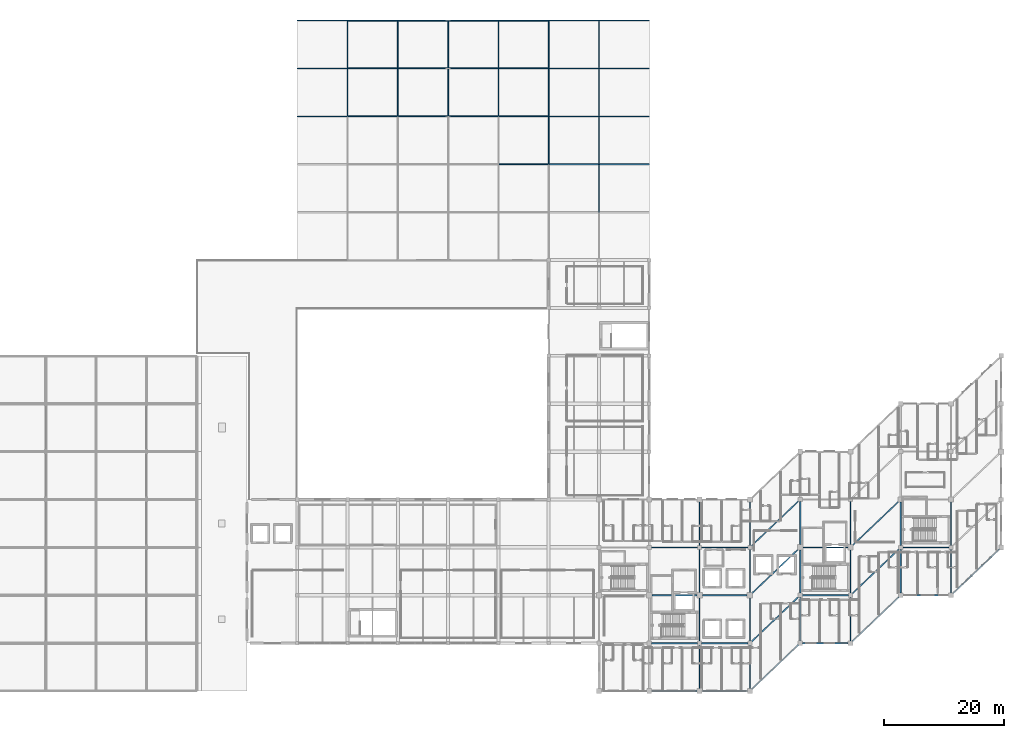
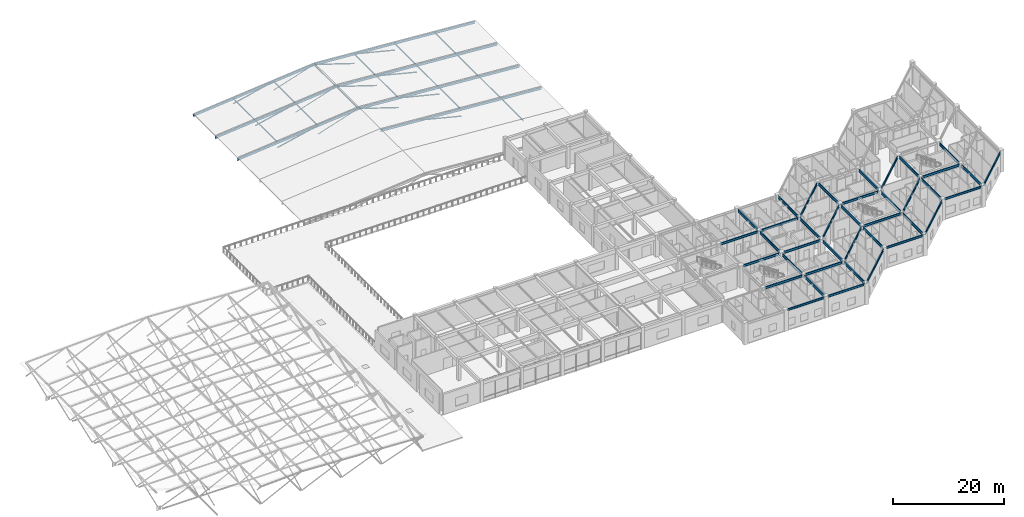
# One storey, part 13 of 37: 39 beams, 35 members.
"""IFC4 building model written with IfcOpenShell, lengths in metres."""

from ifc_helpers import new_model, si_unit, direction, frame, origin, origin_2d, place, context, subcontext, project, spatial, hollow_circle, i_section, extrude, material, material_profile, profile_set, type_object, element, save


model = new_model("IFC4")

# Units and contexts
model_context = context("Model", 3, precision=1e-05, world=origin(), true_north=direction((0.0, 1.0)))
body_context = subcontext(model_context, "Body", "Model", "MODEL_VIEW")
ifc_project = project(units=[si_unit("LENGTHUNIT", "METRE"), si_unit("AREAUNIT", "SQUARE_METRE"), si_unit("VOLUMEUNIT", "CUBIC_METRE"), si_unit("PLANEANGLEUNIT", "RADIAN"), si_unit("MASSUNIT", "GRAM", prefix="KILO")], contexts=[model_context])

# Site, building, storey
site_placement = place(None, origin())
site = spatial("IfcSite", under=ifc_project, at=site_placement, CompositionType="ELEMENT")
building_placement = place(site_placement, origin())
building = spatial("IfcBuilding", under=site, at=building_placement, Name="Naruveol Harbour Congress Hotel", CompositionType="ELEMENT")
storey_placement = place(building_placement, frame((0.0, 0.0, 16.199951171875)))
storey = spatial("IfcBuildingStorey", under=building, at=storey_placement, Name="L03", CompositionType="ELEMENT", Elevation=16.199951171875)

# Beams
ifc_material_1 = material(Name="Steel SN490", Category="steel")
ifc_material_profile_1 = material_profile(ifc_material_1, i_section(OverallWidth=0.199951171875, OverallDepth=0.5, WebThickness=0.010009765625, FlangeThickness=0.01611328125, at=origin_2d()), Name="H-500x200x10x16")
ifc_profile_set_1 = profile_set([ifc_material_profile_1], Name="Steel SN490")
beam_type_1 = type_object("IfcBeamType", Name="STEEL FLOOR GIRDER H500", PredefinedType="BEAM", material=ifc_profile_set_1)
beam_1_placement = place(storey_placement, frame((126.345947265625, 8.0, 4.330078125), z_axis=(1.0, 0.0, 0.0), x_axis=(0.0, 1.0, 0.0)))
element("IfcBeam", 1, at=beam_1_placement, inside=storey, type_object=beam_type_1, Name="Hotel chord beam L04 SB2", PredefinedType="BEAM", context=body_context, shape_type="SweptSolid", body=[
    extrude(i_section(OverallWidth=0.199951171875, OverallDepth=0.5, WebThickness=0.010009765625, FlangeThickness=0.01611328125, at=origin_2d()), origin(), (0.0, 0.0, 1.0), 7.7080078125),
])
beam_2_placement = place(storey_placement, frame((126.446044921875, 16.0, 4.330078125), z_axis=(1.0, 0.0, 0.0), x_axis=(0.0, 1.0, 0.0)))
element("IfcBeam", 2, at=beam_2_placement, inside=storey, type_object=beam_type_1, Name="Hotel chord beam L04 SB2", PredefinedType="BEAM", context=body_context, shape_type="SweptSolid", body=[
    extrude(i_section(OverallWidth=0.199951171875, OverallDepth=0.5, WebThickness=0.010009765625, FlangeThickness=0.01611328125, at=origin_2d()), origin(), (0.0, 0.0, 1.0), 7.508056640625),
])
for number, where, z_axis, x_axis, name in (
    (3, (126.345947265625, 24.0, 4.330078125), (1.0, 0.0, 0.0), (0.0, 1.0, 0.0), "Hotel chord beam L04 SB2"),
    (4, (134.74609375, 8.0, 4.330078125), (1.0, 0.0, 0.0), (0.0, 1.0, 0.0), "Hotel chord beam L04 SB2"),
):
    element("IfcBeam", number, at=place(storey_placement, frame(where, z_axis=z_axis, x_axis=x_axis)), inside=storey, type_object=beam_type_1, Name=name, PredefinedType="BEAM", context=body_context, shape_type="SweptSolid", body=[
        extrude(i_section(OverallWidth=0.199951171875, OverallDepth=0.5, WebThickness=0.010009765625, FlangeThickness=0.01611328125, at=origin_2d()), origin(), (0.0, 0.0, 1.0), 7.7080078125),
    ])
beam_3_placement = place(storey_placement, frame((134.845947265625, 16.0, 4.330078125), z_axis=(1.0, 0.0, 0.0), x_axis=(0.0, 1.0, 0.0)))
element("IfcBeam", 5, at=beam_3_placement, inside=storey, type_object=beam_type_1, Name="Hotel chord beam L04 SB2", PredefinedType="BEAM", context=body_context, shape_type="SweptSolid", body=[
    extrude(i_section(OverallWidth=0.199951171875, OverallDepth=0.5, WebThickness=0.010009765625, FlangeThickness=0.01611328125, at=origin_2d()), origin(), (0.0, 0.0, 1.0), 7.508056640625),
])
beam_4_placement = place(storey_placement, frame((134.74609375, 24.0, 4.330078125), z_axis=(1.0, 0.0, 0.0), x_axis=(0.0, 1.0, 0.0)))
element("IfcBeam", 6, at=beam_4_placement, inside=storey, type_object=beam_type_1, Name="Hotel chord beam L04 SB2", PredefinedType="BEAM", context=body_context, shape_type="SweptSolid", body=[
    extrude(i_section(OverallWidth=0.199951171875, OverallDepth=0.5, WebThickness=0.010009765625, FlangeThickness=0.01611328125, at=origin_2d()), origin(), (0.0, 0.0, 1.0), 7.7080078125),
])
beam_5_placement = place(storey_placement, frame((143.050537109375, 8.238525390625, 4.330078125), z_axis=(0.724130479369, 0.689662996578, 0.0), x_axis=(-0.689662996578, 0.724130479369, 0.0)))
element("IfcBeam", 7, at=beam_5_placement, inside=storey, type_object=beam_type_1, Name="Hotel chord beam L04 SB2", PredefinedType="BEAM", context=body_context, shape_type="SweptSolid", body=[
    extrude(i_section(OverallWidth=0.199951171875, OverallDepth=0.5, WebThickness=0.010009765625, FlangeThickness=0.01611328125, at=origin_2d()), origin(), (0.0, 0.0, 1.0), 10.908203125),
])
beam_6_placement = place(storey_placement, frame((143.123046875, 16.3076171875, 4.330078125), z_axis=(0.724133593293, 0.689659727013, 0.0), x_axis=(-0.689659727013, 0.724133593293, 0.0)))
element("IfcBeam", 8, at=beam_6_placement, inside=storey, type_object=beam_type_1, Name="Hotel chord beam L04 SB2", PredefinedType="BEAM", context=body_context, shape_type="SweptSolid", body=[
    extrude(i_section(OverallWidth=0.199951171875, OverallDepth=0.5, WebThickness=0.010009765625, FlangeThickness=0.01611328125, at=origin_2d()), origin(), (0.0, 0.0, 1.0), 10.707763671875),
])
beam_7_placement = place(storey_placement, frame((143.050537109375, 24.238525390625, 4.330078125), z_axis=(0.724130479369, 0.689662996578, 0.0), x_axis=(-0.689662996578, 0.724130479369, 0.0)))
element("IfcBeam", 9, at=beam_7_placement, inside=storey, type_object=beam_type_1, Name="Hotel chord beam L04 SB2", PredefinedType="BEAM", context=body_context, shape_type="SweptSolid", body=[
    extrude(i_section(OverallWidth=0.199951171875, OverallDepth=0.5, WebThickness=0.010009765625, FlangeThickness=0.01611328125, at=origin_2d()), origin(), (0.0, 0.0, 1.0), 10.908203125),
])
beam_8_placement = place(storey_placement, frame((151.5458984375, 16.0, 4.330078125), z_axis=(1.0, 0.0, 0.0), x_axis=(0.0, 1.0, 0.0)))
element("IfcBeam", 10, at=beam_8_placement, inside=storey, type_object=beam_type_1, Name="Hotel chord beam L04 SB2", PredefinedType="BEAM", context=body_context, shape_type="SweptSolid", body=[
    extrude(i_section(OverallWidth=0.199951171875, OverallDepth=0.5, WebThickness=0.010009765625, FlangeThickness=0.01611328125, at=origin_2d()), origin(), (0.0, 0.0, 1.0), 7.7080078125),
])
beam_9_placement = place(storey_placement, frame((151.64599609375, 24.0, 4.330078125), z_axis=(1.0, 0.0, 0.0), x_axis=(0.0, 1.0, 0.0)))
element("IfcBeam", 11, at=beam_9_placement, inside=storey, type_object=beam_type_1, Name="Hotel chord beam L04 SB2", PredefinedType="BEAM", context=body_context, shape_type="SweptSolid", body=[
    extrude(i_section(OverallWidth=0.199951171875, OverallDepth=0.5, WebThickness=0.010009765625, FlangeThickness=0.01611328125, at=origin_2d()), origin(), (0.0, 0.0, 1.0), 7.508056640625),
])
beam_10_placement = place(storey_placement, frame((159.8505859375, 16.238525390625, 4.330078125), z_axis=(0.724130479369, 0.689662996578, 0.0), x_axis=(-0.689662996578, 0.724130479369, 0.0)))
element("IfcBeam", 12, at=beam_10_placement, inside=storey, type_object=beam_type_1, Name="Hotel chord beam L04 SB2", PredefinedType="BEAM", context=body_context, shape_type="SweptSolid", body=[
    extrude(i_section(OverallWidth=0.199951171875, OverallDepth=0.5, WebThickness=0.010009765625, FlangeThickness=0.01611328125, at=origin_2d()), origin(), (0.0, 0.0, 1.0), 10.908203125),
])
beam_11_placement = place(storey_placement, frame((159.923095703125, 24.3076171875, 4.330078125), z_axis=(0.724133593293, 0.689659727013, 0.0), x_axis=(-0.689659727013, 0.724133593293, 0.0)))
element("IfcBeam", 13, at=beam_11_placement, inside=storey, type_object=beam_type_1, Name="Hotel chord beam L04 SB2", PredefinedType="BEAM", context=body_context, shape_type="SweptSolid", body=[
    extrude(i_section(OverallWidth=0.199951171875, OverallDepth=0.5, WebThickness=0.010009765625, FlangeThickness=0.01611328125, at=origin_2d()), origin(), (0.0, 0.0, 1.0), 10.707763671875),
])
beam_12_placement = place(storey_placement, frame((168.345947265625, 24.0, 4.330078125), z_axis=(1.0, 0.0, 0.0), x_axis=(0.0, 1.0, 0.0)))
element("IfcBeam", 14, at=beam_12_placement, inside=storey, type_object=beam_type_1, Name="Hotel chord beam L04 SB2", PredefinedType="BEAM", context=body_context, shape_type="SweptSolid", body=[
    extrude(i_section(OverallWidth=0.199951171875, OverallDepth=0.5, WebThickness=0.010009765625, FlangeThickness=0.01611328125, at=origin_2d()), origin(), (0.0, 0.0, 1.0), 7.7080078125),
])

# Members
ifc_material_2 = material(Name="Steel SN490", Category="steel")
ifc_material_profile_2 = material_profile(ifc_material_2, i_section(OverallWidth=0.199951171875, OverallDepth=0.5, WebThickness=0.010009765625, FlangeThickness=0.01611328125, at=origin_2d()), Name="H-500x200x10x16")
ifc_profile_set_2 = profile_set([ifc_material_profile_2], Name="Steel SN490")
member_type_1 = type_object("IfcMemberType", Name="STEEL GABLE TRUSS RAFTER H500", PredefinedType="RAFTER", material=ifc_profile_set_2)
member_1_placement = place(storey_placement, frame((92.39990234375, 88.0, 2.400146484375), z_axis=(0.997458405503, 0.0, -0.071251170451), x_axis=(0.0, 1.0, 0.0)))
element("IfcMember", 15, at=member_1_placement, inside=storey, type_object=member_type_1, Name="Ballroom gable rafter east #3", PredefinedType="RAFTER", context=body_context, shape_type="SweptSolid", body=[
    extrude(i_section(OverallWidth=0.199951171875, OverallDepth=0.5, WebThickness=0.010009765625, FlangeThickness=0.01611328125, at=origin_2d()), origin(), (0.0, 0.0, 1.0), 33.685791015625),
])
member_2_placement = place(storey_placement, frame((67.199951171875, 96.0, 0.0), z_axis=(0.995494909078, 0.0, 0.09481500936), x_axis=(0.0, 1.0, 0.0)))
element("IfcMember", 16, at=member_2_placement, inside=storey, type_object=member_type_1, Name="Ballroom gable rafter west #4", PredefinedType="RAFTER", context=body_context, shape_type="SweptSolid", body=[
    extrude(i_section(OverallWidth=0.199951171875, OverallDepth=0.5, WebThickness=0.010009765625, FlangeThickness=0.01611328125, at=origin_2d()), origin(), (0.0, 0.0, 1.0), 25.31396484375),
])
member_3_placement = place(storey_placement, frame((92.39990234375, 96.0, 2.400146484375), z_axis=(0.997458405503, 0.0, -0.071251170451), x_axis=(0.0, 1.0, 0.0)))
element("IfcMember", 17, at=member_3_placement, inside=storey, type_object=member_type_1, Name="Ballroom gable rafter east #4", PredefinedType="RAFTER", context=body_context, shape_type="SweptSolid", body=[
    extrude(i_section(OverallWidth=0.199951171875, OverallDepth=0.5, WebThickness=0.010009765625, FlangeThickness=0.01611328125, at=origin_2d()), origin(), (0.0, 0.0, 1.0), 33.685791015625),
])
member_4_placement = place(storey_placement, frame((67.199951171875, 104.0, 0.0), z_axis=(0.995494909078, 0.0, 0.09481500936), x_axis=(0.0, 1.0, 0.0)))
element("IfcMember", 18, at=member_4_placement, inside=storey, type_object=member_type_1, Name="Ballroom gable rafter west #5", PredefinedType="RAFTER", context=body_context, shape_type="SweptSolid", body=[
    extrude(i_section(OverallWidth=0.199951171875, OverallDepth=0.5, WebThickness=0.010009765625, FlangeThickness=0.01611328125, at=origin_2d()), origin(), (0.0, 0.0, 1.0), 25.31396484375),
])
member_5_placement = place(storey_placement, frame((92.39990234375, 104.0, 2.400146484375), z_axis=(0.997458405503, 0.0, -0.071251170451), x_axis=(0.0, 1.0, 0.0)))
element("IfcMember", 19, at=member_5_placement, inside=storey, type_object=member_type_1, Name="Ballroom gable rafter east #5", PredefinedType="RAFTER", context=body_context, shape_type="SweptSolid", body=[
    extrude(i_section(OverallWidth=0.199951171875, OverallDepth=0.5, WebThickness=0.010009765625, FlangeThickness=0.01611328125, at=origin_2d()), origin(), (0.0, 0.0, 1.0), 33.685791015625),
])
member_6_placement = place(storey_placement, frame((67.199951171875, 112.0, 0.0), z_axis=(0.995494909078, 0.0, 0.09481500936), x_axis=(0.0, 1.0, 0.0)))
element("IfcMember", 20, at=member_6_placement, inside=storey, type_object=member_type_1, Name="Ballroom gable rafter west #6", PredefinedType="RAFTER", context=body_context, shape_type="SweptSolid", body=[
    extrude(i_section(OverallWidth=0.199951171875, OverallDepth=0.5, WebThickness=0.010009765625, FlangeThickness=0.01611328125, at=origin_2d()), origin(), (0.0, 0.0, 1.0), 25.31396484375),
])
member_7_placement = place(storey_placement, frame((92.39990234375, 112.0, 2.400146484375), z_axis=(0.997458405503, 0.0, -0.071251170451), x_axis=(0.0, 1.0, 0.0)))
element("IfcMember", 21, at=member_7_placement, inside=storey, type_object=member_type_1, Name="Ballroom gable rafter east #6", PredefinedType="RAFTER", context=body_context, shape_type="SweptSolid", body=[
    extrude(i_section(OverallWidth=0.199951171875, OverallDepth=0.5, WebThickness=0.010009765625, FlangeThickness=0.01611328125, at=origin_2d()), origin(), (0.0, 0.0, 1.0), 33.685791015625),
])
ifc_material_3 = material(Name="Steel SN490", Category="steel")
ifc_material_profile_3 = material_profile(ifc_material_3, hollow_circle(Radius=0.084228515625, WallThickness=0.008056640625, at=origin_2d()), Name="CHS-168.3x8")
ifc_profile_set_3 = profile_set([ifc_material_profile_3], Name="Steel SN490")
member_type_2 = type_object("IfcMemberType", Name="STEEL GABLE TRUSS WEB BRACE CHS168", PredefinedType="BRACE", material=ifc_profile_set_3)
member_8_placement = place(storey_placement, frame((109.199951171875, 88.0, -0.300048828125), z_axis=(-0.970139182784, 0.0, 0.242548894097), x_axis=(0.0, -1.0, 0.0)))
element("IfcMember", 22, at=member_8_placement, inside=storey, type_object=member_type_2, Name="Ballroom gable truss web #3.3", PredefinedType="BRACE", context=body_context, shape_type="SweptSolid", body=[
    extrude(hollow_circle(Radius=0.084228515625, WallThickness=0.008056640625, at=origin_2d()), origin(), (0.0, 0.0, 1.0), 8.658447265625),
])
member_9_placement = place(storey_placement, frame((75.60009765625, 96.0, -0.300048828125), z_axis=(0.975356249556, 0.0, 0.220635868462), x_axis=(0.0, 1.0, 0.0)))
element("IfcMember", 23, at=member_9_placement, inside=storey, type_object=member_type_2, Name="Ballroom gable truss web #4.1", PredefinedType="BRACE", context=body_context, shape_type="SweptSolid", body=[
    extrude(hollow_circle(Radius=0.084228515625, WallThickness=0.008056640625, at=origin_2d()), origin(), (0.0, 0.0, 1.0), 8.612060546875),
])
member_10_placement = place(storey_placement, frame((84.0, 96.0, -0.300048828125), z_axis=(0.95202107565, 0.0, 0.306032468078), x_axis=(0.0, 1.0, 0.0)))
element("IfcMember", 24, at=member_10_placement, inside=storey, type_object=member_type_2, Name="Ballroom gable truss web #4.2", PredefinedType="BRACE", context=body_context, shape_type="SweptSolid", body=[
    extrude(hollow_circle(Radius=0.084228515625, WallThickness=0.008056640625, at=origin_2d()), origin(), (0.0, 0.0, 1.0), 8.8232421875),
])
member_11_placement = place(storey_placement, frame((109.199951171875, 96.0, -0.300048828125), z_axis=(-0.970139182784, 0.0, 0.242548894097), x_axis=(0.0, -1.0, 0.0)))
element("IfcMember", 25, at=member_11_placement, inside=storey, type_object=member_type_2, Name="Ballroom gable truss web #4.3", PredefinedType="BRACE", context=body_context, shape_type="SweptSolid", body=[
    extrude(hollow_circle(Radius=0.084228515625, WallThickness=0.008056640625, at=origin_2d()), origin(), (0.0, 0.0, 1.0), 8.658447265625),
])
member_12_placement = place(storey_placement, frame((100.800048828125, 96.0, -0.300048828125), z_axis=(-0.952023667025, 0.0, 0.306024406583), x_axis=(0.0, -1.0, 0.0)))
element("IfcMember", 26, at=member_12_placement, inside=storey, type_object=member_type_2, Name="Ballroom gable truss web #4.4", PredefinedType="BRACE", context=body_context, shape_type="SweptSolid", body=[
    extrude(hollow_circle(Radius=0.084228515625, WallThickness=0.008056640625, at=origin_2d()), origin(), (0.0, 0.0, 1.0), 8.823486328125),
])
member_13_placement = place(storey_placement, frame((75.60009765625, 104.0, -0.300048828125), z_axis=(0.975356249556, 0.0, 0.220635868462), x_axis=(0.0, 1.0, 0.0)))
element("IfcMember", 27, at=member_13_placement, inside=storey, type_object=member_type_2, Name="Ballroom gable truss web #5.1", PredefinedType="BRACE", context=body_context, shape_type="SweptSolid", body=[
    extrude(hollow_circle(Radius=0.084228515625, WallThickness=0.008056640625, at=origin_2d()), origin(), (0.0, 0.0, 1.0), 8.612060546875),
])
member_14_placement = place(storey_placement, frame((84.0, 104.0, -0.300048828125), z_axis=(0.95202107565, 0.0, 0.306032468078), x_axis=(0.0, 1.0, 0.0)))
element("IfcMember", 28, at=member_14_placement, inside=storey, type_object=member_type_2, Name="Ballroom gable truss web #5.2", PredefinedType="BRACE", context=body_context, shape_type="SweptSolid", body=[
    extrude(hollow_circle(Radius=0.084228515625, WallThickness=0.008056640625, at=origin_2d()), origin(), (0.0, 0.0, 1.0), 8.8232421875),
])
member_15_placement = place(storey_placement, frame((109.199951171875, 104.0, -0.300048828125), z_axis=(-0.970139182784, 0.0, 0.242548894097), x_axis=(0.0, -1.0, 0.0)))
element("IfcMember", 29, at=member_15_placement, inside=storey, type_object=member_type_2, Name="Ballroom gable truss web #5.3", PredefinedType="BRACE", context=body_context, shape_type="SweptSolid", body=[
    extrude(hollow_circle(Radius=0.084228515625, WallThickness=0.008056640625, at=origin_2d()), origin(), (0.0, 0.0, 1.0), 8.658447265625),
])
member_16_placement = place(storey_placement, frame((100.800048828125, 104.0, -0.300048828125), z_axis=(-0.952023667025, 0.0, 0.306024406583), x_axis=(0.0, -1.0, 0.0)))
element("IfcMember", 30, at=member_16_placement, inside=storey, type_object=member_type_2, Name="Ballroom gable truss web #5.4", PredefinedType="BRACE", context=body_context, shape_type="SweptSolid", body=[
    extrude(hollow_circle(Radius=0.084228515625, WallThickness=0.008056640625, at=origin_2d()), origin(), (0.0, 0.0, 1.0), 8.823486328125),
])
member_17_placement = place(storey_placement, frame((75.60009765625, 112.0, -0.300048828125), z_axis=(0.975356249556, 0.0, 0.220635868462), x_axis=(0.0, 1.0, 0.0)))
element("IfcMember", 31, at=member_17_placement, inside=storey, type_object=member_type_2, Name="Ballroom gable truss web #6.1", PredefinedType="BRACE", context=body_context, shape_type="SweptSolid", body=[
    extrude(hollow_circle(Radius=0.084228515625, WallThickness=0.008056640625, at=origin_2d()), origin(), (0.0, 0.0, 1.0), 8.612060546875),
])
member_18_placement = place(storey_placement, frame((84.0, 112.0, -0.300048828125), z_axis=(0.95202107565, 0.0, 0.306032468078), x_axis=(0.0, 1.0, 0.0)))
element("IfcMember", 32, at=member_18_placement, inside=storey, type_object=member_type_2, Name="Ballroom gable truss web #6.2", PredefinedType="BRACE", context=body_context, shape_type="SweptSolid", body=[
    extrude(hollow_circle(Radius=0.084228515625, WallThickness=0.008056640625, at=origin_2d()), origin(), (0.0, 0.0, 1.0), 8.8232421875),
])
member_19_placement = place(storey_placement, frame((109.199951171875, 112.0, -0.300048828125), z_axis=(-0.970139182784, 0.0, 0.242548894097), x_axis=(0.0, -1.0, 0.0)))
element("IfcMember", 33, at=member_19_placement, inside=storey, type_object=member_type_2, Name="Ballroom gable truss web #6.3", PredefinedType="BRACE", context=body_context, shape_type="SweptSolid", body=[
    extrude(hollow_circle(Radius=0.084228515625, WallThickness=0.008056640625, at=origin_2d()), origin(), (0.0, 0.0, 1.0), 8.658447265625),
])
member_20_placement = place(storey_placement, frame((100.800048828125, 112.0, -0.300048828125), z_axis=(-0.952023667025, 0.0, 0.306024406583), x_axis=(0.0, -1.0, 0.0)))
element("IfcMember", 34, at=member_20_placement, inside=storey, type_object=member_type_2, Name="Ballroom gable truss web #6.4", PredefinedType="BRACE", context=body_context, shape_type="SweptSolid", body=[
    extrude(hollow_circle(Radius=0.084228515625, WallThickness=0.008056640625, at=origin_2d()), origin(), (0.0, 0.0, 1.0), 8.823486328125),
])

# Beams
ifc_material_4 = material(Name="Steel SN490", Category="steel")
ifc_material_profile_4 = material_profile(ifc_material_4, i_section(OverallWidth=0.199951171875, OverallDepth=0.60009765625, WebThickness=0.010986328125, FlangeThickness=0.01708984375, at=origin_2d()), Name="H-600x200x11x17")
ifc_profile_set_4 = profile_set([ifc_material_profile_4], Name="Steel SN490")
beam_type_2 = type_object("IfcBeamType", Name="STEEL PRIMARY FLOOR BEAM H600", PredefinedType="BEAM", material=ifc_profile_set_4)
beam_13_placement = place(storey_placement, frame((134.39990234375, 0.39599609375, 4.280029296875), z_axis=(0.0, 1.0, 0.0), x_axis=(-1.0, 0.0, 0.0)))
element("IfcBeam", 35, at=beam_13_placement, inside=storey, type_object=beam_type_2, Name="Hotel transverse beam L04 SB1", PredefinedType="BEAM", context=body_context, shape_type="SweptSolid", body=[
    extrude(i_section(OverallWidth=0.199951171875, OverallDepth=0.60009765625, WebThickness=0.010986328125, FlangeThickness=0.01708984375, at=origin_2d()), origin(), (0.0, 0.0, 1.0), 7.258056640625),
])
for number, where, z_axis, x_axis, name in (
    (36, (134.39990234375, 8.345947265625, 4.280029296875), (0.0, 1.0, 0.0), (-1.0, 0.0, 0.0), "Hotel transverse beam L04 SB1"),
    (37, (134.39990234375, 16.446044921875, 4.280029296875), (0.0, 1.0, 0.0), (-1.0, 0.0, 0.0), "Hotel transverse beam L04 SB1"),
):
    element("IfcBeam", number, at=place(storey_placement, frame(where, z_axis=z_axis, x_axis=x_axis)), inside=storey, type_object=beam_type_2, Name=name, PredefinedType="BEAM", context=body_context, shape_type="SweptSolid", body=[
        extrude(i_section(OverallWidth=0.199951171875, OverallDepth=0.60009765625, WebThickness=0.010986328125, FlangeThickness=0.01708984375, at=origin_2d()), origin(), (0.0, 0.0, 1.0), 7.2080078125),
    ])
for number, where, z_axis, x_axis, name in (
    (38, (134.39990234375, 24.345947265625, 4.280029296875), (0.0, 1.0, 0.0), (-1.0, 0.0, 0.0), "Hotel transverse beam L04 SB1"),
    (39, (142.800048828125, 0.39599609375, 4.280029296875), (0.0, 1.0, 0.0), (-1.0, 0.0, 0.0), "Hotel transverse beam L04 SB1"),
):
    element("IfcBeam", number, at=place(storey_placement, frame(where, z_axis=z_axis, x_axis=x_axis)), inside=storey, type_object=beam_type_2, Name=name, PredefinedType="BEAM", context=body_context, shape_type="SweptSolid", body=[
        extrude(i_section(OverallWidth=0.199951171875, OverallDepth=0.60009765625, WebThickness=0.010986328125, FlangeThickness=0.01708984375, at=origin_2d()), origin(), (0.0, 0.0, 1.0), 7.258056640625),
    ])
for number, where, z_axis, x_axis, name in (
    (40, (142.800048828125, 8.345947265625, 4.280029296875), (0.0, 1.0, 0.0), (-1.0, 0.0, 0.0), "Hotel transverse beam L04 SB1"),
    (41, (142.800048828125, 16.446044921875, 4.280029296875), (0.0, 1.0, 0.0), (-1.0, 0.0, 0.0), "Hotel transverse beam L04 SB1"),
):
    element("IfcBeam", number, at=place(storey_placement, frame(where, z_axis=z_axis, x_axis=x_axis)), inside=storey, type_object=beam_type_2, Name=name, PredefinedType="BEAM", context=body_context, shape_type="SweptSolid", body=[
        extrude(i_section(OverallWidth=0.199951171875, OverallDepth=0.60009765625, WebThickness=0.010986328125, FlangeThickness=0.01708984375, at=origin_2d()), origin(), (0.0, 0.0, 1.0), 7.2080078125),
    ])
for number, where, z_axis, x_axis, name in (
    (42, (142.800048828125, 24.345947265625, 4.280029296875), (0.0, 1.0, 0.0), (-1.0, 0.0, 0.0), "Hotel transverse beam L04 SB1"),
    (43, (151.199951171875, 8.39599609375, 4.280029296875), (0.0, 1.0, 0.0), (-1.0, 0.0, 0.0), "Hotel transverse beam L04 SB1"),
):
    element("IfcBeam", number, at=place(storey_placement, frame(where, z_axis=z_axis, x_axis=x_axis)), inside=storey, type_object=beam_type_2, Name=name, PredefinedType="BEAM", context=body_context, shape_type="SweptSolid", body=[
        extrude(i_section(OverallWidth=0.199951171875, OverallDepth=0.60009765625, WebThickness=0.010986328125, FlangeThickness=0.01708984375, at=origin_2d()), origin(), (0.0, 0.0, 1.0), 7.258056640625),
    ])
for number, where, z_axis, x_axis, name in (
    (44, (151.199951171875, 16.345947265625, 4.280029296875), (0.0, 1.0, 0.0), (-1.0, 0.0, 0.0), "Hotel transverse beam L04 SB1"),
    (45, (151.199951171875, 24.446044921875, 4.280029296875), (0.0, 1.0, 0.0), (-1.0, 0.0, 0.0), "Hotel transverse beam L04 SB1"),
):
    element("IfcBeam", number, at=place(storey_placement, frame(where, z_axis=z_axis, x_axis=x_axis)), inside=storey, type_object=beam_type_2, Name=name, PredefinedType="BEAM", context=body_context, shape_type="SweptSolid", body=[
        extrude(i_section(OverallWidth=0.199951171875, OverallDepth=0.60009765625, WebThickness=0.010986328125, FlangeThickness=0.01708984375, at=origin_2d()), origin(), (0.0, 0.0, 1.0), 7.2080078125),
    ])
beam_14_placement = place(storey_placement, frame((159.60009765625, 8.39599609375, 4.280029296875), z_axis=(0.0, 1.0, 0.0), x_axis=(-1.0, 0.0, 0.0)))
element("IfcBeam", 46, at=beam_14_placement, inside=storey, type_object=beam_type_2, Name="Hotel transverse beam L04 SB1", PredefinedType="BEAM", context=body_context, shape_type="SweptSolid", body=[
    extrude(i_section(OverallWidth=0.199951171875, OverallDepth=0.60009765625, WebThickness=0.010986328125, FlangeThickness=0.01708984375, at=origin_2d()), origin(), (0.0, 0.0, 1.0), 7.258056640625),
])
for number, where, z_axis, x_axis, name in (
    (47, (159.60009765625, 16.345947265625, 4.280029296875), (0.0, 1.0, 0.0), (-1.0, 0.0, 0.0), "Hotel transverse beam L04 SB1"),
    (48, (159.60009765625, 24.446044921875, 4.280029296875), (0.0, 1.0, 0.0), (-1.0, 0.0, 0.0), "Hotel transverse beam L04 SB1"),
):
    element("IfcBeam", number, at=place(storey_placement, frame(where, z_axis=z_axis, x_axis=x_axis)), inside=storey, type_object=beam_type_2, Name=name, PredefinedType="BEAM", context=body_context, shape_type="SweptSolid", body=[
        extrude(i_section(OverallWidth=0.199951171875, OverallDepth=0.60009765625, WebThickness=0.010986328125, FlangeThickness=0.01708984375, at=origin_2d()), origin(), (0.0, 0.0, 1.0), 7.2080078125),
    ])
beam_15_placement = place(storey_placement, frame((168.0, 16.39599609375, 4.280029296875), z_axis=(0.0, 1.0, 0.0), x_axis=(-1.0, 0.0, 0.0)))
element("IfcBeam", 49, at=beam_15_placement, inside=storey, type_object=beam_type_2, Name="Hotel transverse beam L04 SB1", PredefinedType="BEAM", context=body_context, shape_type="SweptSolid", body=[
    extrude(i_section(OverallWidth=0.199951171875, OverallDepth=0.60009765625, WebThickness=0.010986328125, FlangeThickness=0.01708984375, at=origin_2d()), origin(), (0.0, 0.0, 1.0), 7.258056640625),
])
beam_16_placement = place(storey_placement, frame((168.0, 24.345947265625, 4.280029296875), z_axis=(0.0, 1.0, 0.0), x_axis=(-1.0, 0.0, 0.0)))
element("IfcBeam", 50, at=beam_16_placement, inside=storey, type_object=beam_type_2, Name="Hotel transverse beam L04 SB1", PredefinedType="BEAM", context=body_context, shape_type="SweptSolid", body=[
    extrude(i_section(OverallWidth=0.199951171875, OverallDepth=0.60009765625, WebThickness=0.010986328125, FlangeThickness=0.01708984375, at=origin_2d()), origin(), (0.0, 0.0, 1.0), 7.2080078125),
])
beam_17_placement = place(storey_placement, frame((176.39990234375, 16.39599609375, 4.280029296875), z_axis=(0.0, 1.0, 0.0), x_axis=(-1.0, 0.0, 0.0)))
element("IfcBeam", 51, at=beam_17_placement, inside=storey, type_object=beam_type_2, Name="Hotel transverse beam L04 SB1", PredefinedType="BEAM", context=body_context, shape_type="SweptSolid", body=[
    extrude(i_section(OverallWidth=0.199951171875, OverallDepth=0.60009765625, WebThickness=0.010986328125, FlangeThickness=0.01708984375, at=origin_2d()), origin(), (0.0, 0.0, 1.0), 7.258056640625),
])
beam_18_placement = place(storey_placement, frame((176.39990234375, 24.345947265625, 4.280029296875), z_axis=(0.0, 1.0, 0.0), x_axis=(-1.0, 0.0, 0.0)))
element("IfcBeam", 52, at=beam_18_placement, inside=storey, type_object=beam_type_2, Name="Hotel transverse beam L04 SB1", PredefinedType="BEAM", context=body_context, shape_type="SweptSolid", body=[
    extrude(i_section(OverallWidth=0.199951171875, OverallDepth=0.60009765625, WebThickness=0.010986328125, FlangeThickness=0.01708984375, at=origin_2d()), origin(), (0.0, 0.0, 1.0), 7.2080078125),
])

# Members
ifc_material_5 = material(Name="Steel SN490", Category="steel")
ifc_material_profile_5 = material_profile(ifc_material_5, i_section(OverallWidth=0.125, OverallDepth=0.25, WebThickness=0.006103515625, FlangeThickness=0.009033203125, at=origin_2d()), Name="H-250x125x6x9")
ifc_profile_set_5 = profile_set([ifc_material_profile_5], Name="Steel SN490")
member_type_3 = type_object("IfcMemberType", Name="STEEL ROOF PURLIN MEMBER H250", PredefinedType="PURLIN", material=ifc_profile_set_5)
for number, where, z_axis, x_axis, name in (
    (53, (75.60009765625, 96.0, 0.800048828125), (0.0, 1.0, 0.0), (-1.0, 0.0, 0.0), "Ballroom roof purlin X=75.6"),
    (54, (75.60009765625, 104.0, 0.800048828125), (0.0, 1.0, 0.0), (-1.0, 0.0, 0.0), "Ballroom roof purlin X=75.6"),
    (55, (84.0, 96.0, 1.60009765625), (0.0, 1.0, 0.0), (-1.0, 0.0, 0.0), "Ballroom roof purlin X=84.0"),
    (56, (84.0, 104.0, 1.60009765625), (0.0, 1.0, 0.0), (-1.0, 0.0, 0.0), "Ballroom roof purlin X=84.0"),
    (57, (92.39990234375, 96.0, 2.400146484375), (0.0, 1.0, 0.0), (-1.0, 0.0, 0.0), "Ballroom roof purlin X=92.4"),
    (58, (92.39990234375, 104.0, 2.400146484375), (0.0, 1.0, 0.0), (-1.0, 0.0, 0.0), "Ballroom roof purlin X=92.4"),
    (59, (100.800048828125, 96.0, 1.800048828125), (0.0, 1.0, 0.0), (-1.0, 0.0, 0.0), "Ballroom roof purlin X=100.8"),
    (60, (100.800048828125, 104.0, 1.800048828125), (0.0, 1.0, 0.0), (-1.0, 0.0, 0.0), "Ballroom roof purlin X=100.8"),
    (61, (109.199951171875, 88.0, 1.199951171875), (0.0, 1.0, 0.0), (-1.0, 0.0, 0.0), "Ballroom roof purlin X=109.2"),
    (62, (109.199951171875, 96.0, 1.199951171875), (0.0, 1.0, 0.0), (-1.0, 0.0, 0.0), "Ballroom roof purlin X=109.2"),
    (63, (109.199951171875, 104.0, 1.199951171875), (0.0, 1.0, 0.0), (-1.0, 0.0, 0.0), "Ballroom roof purlin X=109.2"),
    (64, (117.60009765625, 80.0, 0.60009765625), (0.0, 1.0, 0.0), (-1.0, 0.0, 0.0), "Ballroom roof purlin X=117.6"),
    (65, (117.60009765625, 88.0, 0.60009765625), (0.0, 1.0, 0.0), (-1.0, 0.0, 0.0), "Ballroom roof purlin X=117.6"),
    (66, (117.60009765625, 96.0, 0.60009765625), (0.0, 1.0, 0.0), (-1.0, 0.0, 0.0), "Ballroom roof purlin X=117.6"),
    (67, (117.60009765625, 104.0, 0.60009765625), (0.0, 1.0, 0.0), (-1.0, 0.0, 0.0), "Ballroom roof purlin X=117.6"),
):
    element("IfcMember", number, at=place(storey_placement, frame(where, z_axis=z_axis, x_axis=x_axis)), inside=storey, type_object=member_type_3, Name=name, PredefinedType="PURLIN", context=body_context, shape_type="SweptSolid", body=[
        extrude(i_section(OverallWidth=0.125, OverallDepth=0.25, WebThickness=0.006103515625, FlangeThickness=0.009033203125, at=origin_2d()), origin(), (0.0, 0.0, 1.0), 8.0),
    ])

# Beams
ifc_material_6 = material(Name="Steel SN490", Category="steel")
ifc_material_profile_6 = material_profile(ifc_material_6, i_section(OverallWidth=0.199951171875, OverallDepth=0.449951171875, WebThickness=0.009033203125, FlangeThickness=0.013916015625, at=origin_2d()), Name="H-450x200x9x14")
ifc_profile_set_6 = profile_set([ifc_material_profile_6], Name="Steel SN490")
beam_type_3 = type_object("IfcBeamType", Name="STEEL SPANDREL EDGE BEAM H450", PredefinedType="SPANDREL", material=ifc_profile_set_6)
beam_19_placement = place(storey_placement, frame((126.39599609375, 0.0, 4.35498046875), z_axis=(1.0, 0.0, 0.0), x_axis=(0.0, 1.0, 0.0)))
element("IfcBeam", 68, at=beam_19_placement, inside=storey, type_object=beam_type_3, Name="Hotel chord beam L04 SPB2", PredefinedType="SPANDREL", context=body_context, shape_type="SweptSolid", body=[
    extrude(i_section(OverallWidth=0.199951171875, OverallDepth=0.449951171875, WebThickness=0.009033203125, FlangeThickness=0.013916015625, at=origin_2d()), origin(), (0.0, 0.0, 1.0), 7.60791015625),
])
beam_20_placement = place(storey_placement, frame((134.7958984375, 0.0, 4.35498046875), z_axis=(1.0, 0.0, 0.0), x_axis=(0.0, 1.0, 0.0)))
element("IfcBeam", 69, at=beam_20_placement, inside=storey, type_object=beam_type_3, Name="Hotel chord beam L04 SPB2", PredefinedType="SPANDREL", context=body_context, shape_type="SweptSolid", body=[
    extrude(i_section(OverallWidth=0.199951171875, OverallDepth=0.449951171875, WebThickness=0.009033203125, FlangeThickness=0.013916015625, at=origin_2d()), origin(), (0.0, 0.0, 1.0), 7.608154296875),
])
beam_21_placement = place(storey_placement, frame((143.0869140625, 0.273193359375, 4.35498046875), z_axis=(0.724132558929, 0.68966081308, 0.0), x_axis=(-0.68966081308, 0.724132558929, 0.0)))
element("IfcBeam", 70, at=beam_21_placement, inside=storey, type_object=beam_type_3, Name="Hotel chord beam L04 SPB2", PredefinedType="SPANDREL", context=body_context, shape_type="SweptSolid", body=[
    extrude(i_section(OverallWidth=0.199951171875, OverallDepth=0.449951171875, WebThickness=0.009033203125, FlangeThickness=0.013916015625, at=origin_2d()), origin(), (0.0, 0.0, 1.0), 10.8076171875),
])
beam_22_placement = place(storey_placement, frame((151.595947265625, 8.0, 4.35498046875), z_axis=(1.0, 0.0, 0.0), x_axis=(0.0, 1.0, 0.0)))
element("IfcBeam", 71, at=beam_22_placement, inside=storey, type_object=beam_type_3, Name="Hotel chord beam L04 SPB2", PredefinedType="SPANDREL", context=body_context, shape_type="SweptSolid", body=[
    extrude(i_section(OverallWidth=0.199951171875, OverallDepth=0.449951171875, WebThickness=0.009033203125, FlangeThickness=0.013916015625, at=origin_2d()), origin(), (0.0, 0.0, 1.0), 7.608154296875),
])
beam_23_placement = place(storey_placement, frame((159.88671875, 8.273193359375, 4.35498046875), z_axis=(0.724143303008, 0.689649531798, 0.0), x_axis=(-0.689649531798, 0.724143303008, 0.0)))
element("IfcBeam", 72, at=beam_23_placement, inside=storey, type_object=beam_type_3, Name="Hotel chord beam L04 SPB2", PredefinedType="SPANDREL", context=body_context, shape_type="SweptSolid", body=[
    extrude(i_section(OverallWidth=0.199951171875, OverallDepth=0.449951171875, WebThickness=0.009033203125, FlangeThickness=0.013916015625, at=origin_2d()), origin(), (0.0, 0.0, 1.0), 10.807861328125),
])
beam_24_placement = place(storey_placement, frame((168.39599609375, 16.0, 4.35498046875), z_axis=(1.0, 0.0, 0.0), x_axis=(0.0, 1.0, 0.0)))
element("IfcBeam", 73, at=beam_24_placement, inside=storey, type_object=beam_type_3, Name="Hotel chord beam L04 SPB2", PredefinedType="SPANDREL", context=body_context, shape_type="SweptSolid", body=[
    extrude(i_section(OverallWidth=0.199951171875, OverallDepth=0.449951171875, WebThickness=0.009033203125, FlangeThickness=0.013916015625, at=origin_2d()), origin(), (0.0, 0.0, 1.0), 7.60791015625),
])
beam_25_placement = place(storey_placement, frame((176.686767578125, 16.273193359375, 4.35498046875), z_axis=(0.724143303008, 0.689649531798, 0.0), x_axis=(-0.689649531798, 0.724143303008, 0.0)))
element("IfcBeam", 74, at=beam_25_placement, inside=storey, type_object=beam_type_3, Name="Hotel chord beam L04 SPB2", PredefinedType="SPANDREL", context=body_context, shape_type="SweptSolid", body=[
    extrude(i_section(OverallWidth=0.199951171875, OverallDepth=0.449951171875, WebThickness=0.009033203125, FlangeThickness=0.013916015625, at=origin_2d()), origin(), (0.0, 0.0, 1.0), 10.807861328125),
])

save(model, "model.ifc")
